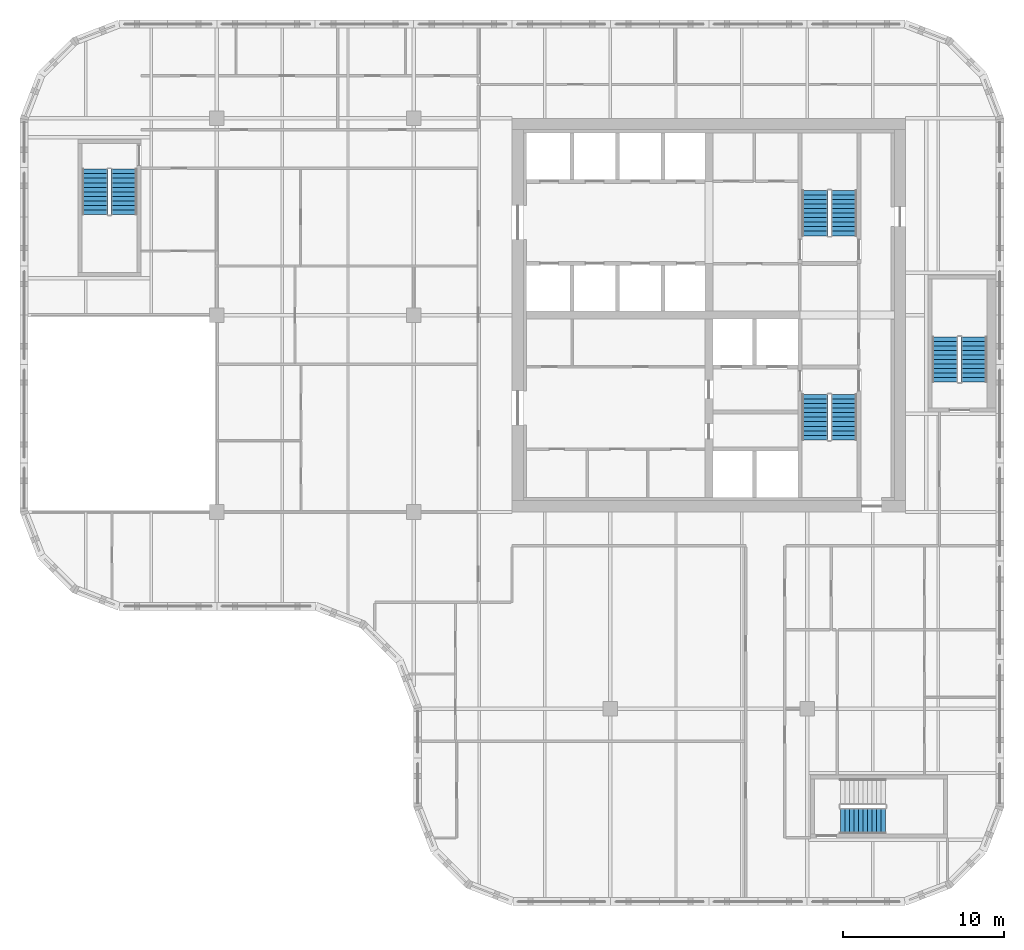
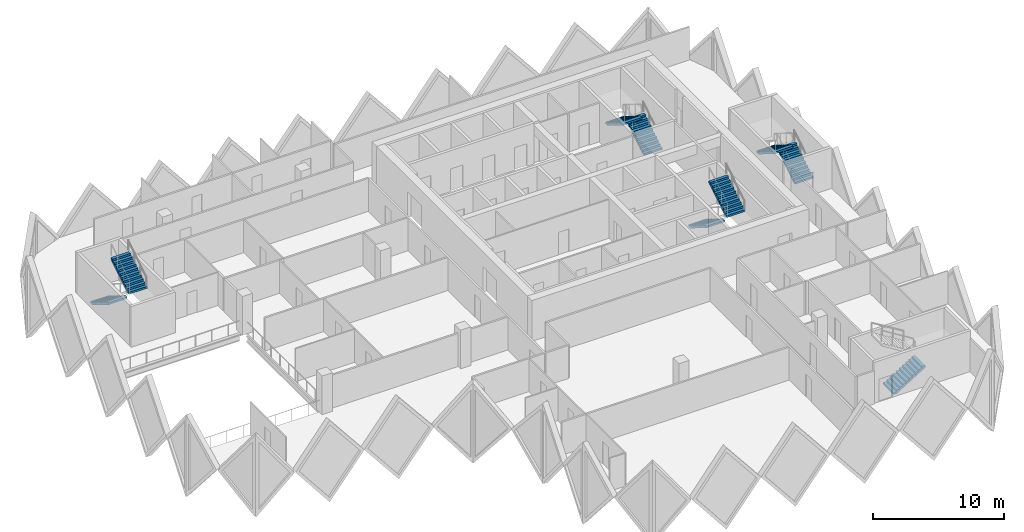
# One storey, part 11 of 12: 9 stair flights, 5 elements without a shape of their own.
"""IFC4 building model written with IfcOpenShell, lengths in metres."""

from ifc_helpers import new_model, si_unit, direction, frame, origin, place, context, subcontext, project, spatial, polyline, outline, extrude, material, type_object, element, aggregate, save


model = new_model("IFC4")

# Units and contexts
model_context = context("Model", 3, precision=1e-05, world=origin(), true_north=direction((0.0, 1.0)))
body_context = subcontext(model_context, "Body", "Model", "MODEL_VIEW")
ifc_project = project(units=[si_unit("LENGTHUNIT", "METRE"), si_unit("AREAUNIT", "SQUARE_METRE"), si_unit("VOLUMEUNIT", "CUBIC_METRE"), si_unit("PLANEANGLEUNIT", "RADIAN"), si_unit("MASSUNIT", "GRAM", prefix="KILO")], contexts=[model_context])

# Site, building, storey
site_placement = place(None, origin())
site = spatial("IfcSite", under=ifc_project, at=site_placement, CompositionType="ELEMENT")
building_placement = place(site_placement, origin())
building = spatial("IfcBuilding", under=site, at=building_placement, Name="Tessera Gate Towers", CompositionType="ELEMENT")
storey_placement = place(building_placement, frame((0.0, 0.0, 139.199951171875)))
storey = spatial("IfcBuildingStorey", under=building, at=storey_placement, Name="L34", CompositionType="ELEMENT", Elevation=139.199951171875)

# Stair, stair flights
ifc_material_1 = material(Name="Concrete C40/50", Category="concrete")
stair_type_1 = type_object("IfcStairType", Name="EXIT STAIR ST1 1600", PredefinedType="HALF_TURN_STAIR", material=ifc_material_1)
stair_1_placement = place(storey_placement, origin())
stair_1 = element("IfcStair", 1, at=stair_1_placement, inside=storey, type_object=stair_type_1, Name="L34 Protected Exit Stair ST1", PredefinedType="HALF_TURN_STAIR")
ifc_material_2 = material(Name="Concrete C40/50", Category="concrete")
stair_flight_type_1 = type_object("IfcStairFlightType", Name="EXIT STAIR FLIGHT ST1 1600", PredefinedType="STRAIGHT", material=ifc_material_2)
stair_flight_1_placement = place(storey_placement, frame((49.27490234375, 31.675048828125, 0.0), z_axis=(0.0, 0.0, 1.0), x_axis=(0.0, -1.0, 0.0)))
stair_flight_1 = element("IfcStairFlight", 2, at=stair_flight_1_placement, type_object=stair_flight_type_1, Name="ST1 flight 1", NumberOfRisers=11, NumberOfTreads=10, PredefinedType="STRAIGHT", RiserHeight=0.172727273, TreadLength=0.28, context=body_context, shape_type="SweptSolid", body=[
    extrude(outline(polyline([(0.0, 0.0), (0.0, 0.172607421875), (0.280029296875, 0.172607421875), (0.280029296875, 0.345458984375), (0.56005859375, 0.345458984375), (0.56005859375, 0.51806640625), (0.840087890625, 0.51806640625), (0.840087890625, 0.69091796875), (1.1201171875, 0.69091796875), (1.1201171875, 0.863525390625), (1.39990234375, 0.863525390625), (1.39990234375, 1.036376953125), (1.679931640625, 1.036376953125), (1.679931640625, 1.208984375), (1.9599609375, 1.208984375), (1.9599609375, 1.3818359375), (2.239990234375, 1.3818359375), (2.239990234375, 1.554443359375), (2.52001953125, 1.554443359375), (2.52001953125, 1.727294921875), (2.800048828125, 1.727294921875), (2.800048828125, 1.89990234375), (2.800048828125, 1.551025390625), (0.285400390625, 0.0), (0.0, 0.0)])), frame((0.0, 0.800048828125, 0.0), z_axis=(0.0, -1.0, 0.0), x_axis=(1.0, 0.0, 0.0)), (0.0, 0.0, 1.0), 1.60009765625),
])
stair_flight_2_placement = place(storey_placement, frame((51.074951171875, 28.875, 1.900146484375), z_axis=(0.0, 0.0, 1.0), x_axis=(0.0, 1.0, 0.0)))
stair_flight_2 = element("IfcStairFlight", 3, at=stair_flight_2_placement, type_object=stair_flight_type_1, Name="ST1 flight 2", NumberOfRisers=11, NumberOfTreads=10, PredefinedType="STRAIGHT", RiserHeight=0.172727273, TreadLength=0.28, context=body_context, shape_type="SweptSolid", body=[
    extrude(outline(polyline([(0.0, 0.0), (0.0, 0.172607421875), (0.280029296875, 0.172607421875), (0.280029296875, 0.345458984375), (0.56005859375, 0.345458984375), (0.56005859375, 0.51806640625), (0.840087890625, 0.51806640625), (0.840087890625, 0.69091796875), (1.1201171875, 0.69091796875), (1.1201171875, 0.863525390625), (1.39990234375, 0.863525390625), (1.39990234375, 1.036376953125), (1.679931640625, 1.036376953125), (1.679931640625, 1.208984375), (1.9599609375, 1.208984375), (1.9599609375, 1.3818359375), (2.239990234375, 1.3818359375), (2.239990234375, 1.554443359375), (2.52001953125, 1.554443359375), (2.52001953125, 1.727294921875), (2.800048828125, 1.727294921875), (2.800048828125, 1.89990234375), (2.800048828125, 1.551025390625), (0.285400390625, 0.0), (0.0, 0.0)])), frame((0.0, 0.800048828125, 0.0), z_axis=(0.0, -1.0, 0.0), x_axis=(1.0, 0.0, 0.0)), (0.0, 0.0, 1.0), 1.60009765625),
])
aggregate(stair_1, [stair_flight_1, stair_flight_2])

ifc_material_3 = material(Name="Concrete C40/50", Category="concrete")
stair_type_2 = type_object("IfcStairType", Name="EXIT STAIR ST2 1600", PredefinedType="HALF_TURN_STAIR", material=ifc_material_3)
stair_2_placement = place(storey_placement, origin())
stair_2 = element("IfcStair", 4, at=stair_2_placement, inside=storey, type_object=stair_type_2, Name="L34 Protected Exit Stair ST2", PredefinedType="HALF_TURN_STAIR")
ifc_material_4 = material(Name="Concrete C40/50", Category="concrete")
stair_flight_type_2 = type_object("IfcStairFlightType", Name="EXIT STAIR FLIGHT ST2 1600", PredefinedType="STRAIGHT", material=ifc_material_4)
stair_flight_3_placement = place(storey_placement, frame((51.074951171875, 41.52490234375, 0.0), z_axis=(0.0, 0.0, 1.0), x_axis=(0.0, 1.0, 0.0)))
stair_flight_3 = element("IfcStairFlight", 5, at=stair_flight_3_placement, type_object=stair_flight_type_2, Name="ST2 flight 1", NumberOfRisers=11, NumberOfTreads=10, PredefinedType="STRAIGHT", RiserHeight=0.172727273, TreadLength=0.28, context=body_context, shape_type="SweptSolid", body=[
    extrude(outline(polyline([(0.0, 0.0), (0.0, 0.172607421875), (0.280029296875, 0.172607421875), (0.280029296875, 0.345458984375), (0.56005859375, 0.345458984375), (0.56005859375, 0.51806640625), (0.840087890625, 0.51806640625), (0.840087890625, 0.69091796875), (1.1201171875, 0.69091796875), (1.1201171875, 0.863525390625), (1.39990234375, 0.863525390625), (1.39990234375, 1.036376953125), (1.679931640625, 1.036376953125), (1.679931640625, 1.208984375), (1.9599609375, 1.208984375), (1.9599609375, 1.3818359375), (2.239990234375, 1.3818359375), (2.239990234375, 1.554443359375), (2.52001953125, 1.554443359375), (2.52001953125, 1.727294921875), (2.800048828125, 1.727294921875), (2.800048828125, 1.89990234375), (2.800048828125, 1.551025390625), (0.285400390625, 0.0), (0.0, 0.0)])), frame((0.0, 0.800048828125, 0.0), z_axis=(0.0, -1.0, 0.0), x_axis=(1.0, 0.0, 0.0)), (0.0, 0.0, 1.0), 1.60009765625),
])
stair_flight_4_placement = place(storey_placement, frame((49.27490234375, 44.324951171875, 1.900146484375), z_axis=(0.0, 0.0, 1.0), x_axis=(0.0, -1.0, 0.0)))
stair_flight_4 = element("IfcStairFlight", 6, at=stair_flight_4_placement, type_object=stair_flight_type_2, Name="ST2 flight 2", NumberOfRisers=11, NumberOfTreads=10, PredefinedType="STRAIGHT", RiserHeight=0.172727273, TreadLength=0.28, context=body_context, shape_type="SweptSolid", body=[
    extrude(outline(polyline([(0.0, 0.0), (0.0, 0.172607421875), (0.280029296875, 0.172607421875), (0.280029296875, 0.345458984375), (0.56005859375, 0.345458984375), (0.56005859375, 0.51806640625), (0.840087890625, 0.51806640625), (0.840087890625, 0.69091796875), (1.1201171875, 0.69091796875), (1.1201171875, 0.863525390625), (1.39990234375, 0.863525390625), (1.39990234375, 1.036376953125), (1.679931640625, 1.036376953125), (1.679931640625, 1.208984375), (1.9599609375, 1.208984375), (1.9599609375, 1.3818359375), (2.239990234375, 1.3818359375), (2.239990234375, 1.554443359375), (2.52001953125, 1.554443359375), (2.52001953125, 1.727294921875), (2.800048828125, 1.727294921875), (2.800048828125, 1.89990234375), (2.800048828125, 1.551025390625), (0.285400390625, 0.0), (0.0, 0.0)])), frame((0.0, 0.800048828125, 0.0), z_axis=(0.0, -1.0, 0.0), x_axis=(1.0, 0.0, 0.0)), (0.0, 0.0, 1.0), 1.60009765625),
])
aggregate(stair_2, [stair_flight_3, stair_flight_4])

ifc_material_5 = material(Name="Concrete C40/50", Category="concrete")
stair_type_3 = type_object("IfcStairType", Name="EXIT STAIR ST3 1600", PredefinedType="HALF_TURN_STAIR", material=ifc_material_5)
stair_3_placement = place(storey_placement, origin())
stair_3 = element("IfcStair", 7, at=stair_3_placement, inside=storey, type_object=stair_type_3, Name="L34 West Exit Stair ST3", PredefinedType="HALF_TURN_STAIR")
ifc_material_6 = material(Name="Concrete C40/50", Category="concrete")
stair_flight_type_3 = type_object("IfcStairFlightType", Name="EXIT STAIR FLIGHT ST3 1600", PredefinedType="STRAIGHT", material=ifc_material_6)
stair_flight_5_placement = place(storey_placement, frame((4.64990234375, 45.64990234375, 0.0), z_axis=(0.0, 0.0, 1.0), x_axis=(0.0, -1.0, 0.0)))
stair_flight_5 = element("IfcStairFlight", 8, at=stair_flight_5_placement, type_object=stair_flight_type_3, Name="ST3 flight 1", NumberOfRisers=11, NumberOfTreads=10, PredefinedType="STRAIGHT", RiserHeight=0.172727273, TreadLength=0.28, context=body_context, shape_type="SweptSolid", body=[
    extrude(outline(polyline([(0.0, 0.0), (0.0, 0.172607421875), (0.280029296875, 0.172607421875), (0.280029296875, 0.345458984375), (0.56005859375, 0.345458984375), (0.56005859375, 0.51806640625), (0.840087890625, 0.51806640625), (0.840087890625, 0.69091796875), (1.1201171875, 0.69091796875), (1.1201171875, 0.863525390625), (1.39990234375, 0.863525390625), (1.39990234375, 1.036376953125), (1.679931640625, 1.036376953125), (1.679931640625, 1.208984375), (1.9599609375, 1.208984375), (1.9599609375, 1.3818359375), (2.239990234375, 1.3818359375), (2.239990234375, 1.554443359375), (2.52001953125, 1.554443359375), (2.52001953125, 1.727294921875), (2.800048828125, 1.727294921875), (2.800048828125, 1.89990234375), (2.800048828125, 1.551025390625), (0.285400390625, 0.0), (0.0, 0.0)])), frame((0.0, 0.800048828125, 0.0), z_axis=(0.0, -1.0, 0.0), x_axis=(1.0, 0.0, 0.0)), (0.0, 0.0, 1.0), 1.60009765625),
])
stair_flight_6_placement = place(storey_placement, frame((6.449951171875, 42.85009765625, 1.900146484375), z_axis=(0.0, 0.0, 1.0), x_axis=(0.0, 1.0, 0.0)))
stair_flight_6 = element("IfcStairFlight", 9, at=stair_flight_6_placement, type_object=stair_flight_type_3, Name="ST3 flight 2", NumberOfRisers=11, NumberOfTreads=10, PredefinedType="STRAIGHT", RiserHeight=0.172727273, TreadLength=0.28, context=body_context, shape_type="SweptSolid", body=[
    extrude(outline(polyline([(0.0, 0.0), (0.0, 0.172607421875), (0.280029296875, 0.172607421875), (0.280029296875, 0.345458984375), (0.56005859375, 0.345458984375), (0.56005859375, 0.51806640625), (0.840087890625, 0.51806640625), (0.840087890625, 0.69091796875), (1.1201171875, 0.69091796875), (1.1201171875, 0.863525390625), (1.39990234375, 0.863525390625), (1.39990234375, 1.036376953125), (1.679931640625, 1.036376953125), (1.679931640625, 1.208984375), (1.9599609375, 1.208984375), (1.9599609375, 1.3818359375), (2.239990234375, 1.3818359375), (2.239990234375, 1.554443359375), (2.52001953125, 1.554443359375), (2.52001953125, 1.727294921875), (2.800048828125, 1.727294921875), (2.800048828125, 1.89990234375), (2.800048828125, 1.551025390625), (0.285400390625, 0.0), (0.0, 0.0)])), frame((0.0, 0.800048828125, 0.0), z_axis=(0.0, -1.0, 0.0), x_axis=(1.0, 0.0, 0.0)), (0.0, 0.0, 1.0), 1.60009765625),
])
aggregate(stair_3, [stair_flight_5, stair_flight_6])

# Stair, stair flight
ifc_material_7 = material(Name="Concrete C40/50", Category="concrete")
stair_type_4 = type_object("IfcStairType", Name="EXIT STAIR ST4 1600", PredefinedType="HALF_TURN_STAIR", material=ifc_material_7)
stair_4_placement = place(storey_placement, origin())
stair_4 = element("IfcStair", 10, at=stair_4_placement, inside=storey, type_object=stair_type_4, Name="L34 South Exit Stair ST4", PredefinedType="HALF_TURN_STAIR")
ifc_material_8 = material(Name="Concrete C40/50", Category="concrete")
stair_flight_type_4 = type_object("IfcStairFlightType", Name="EXIT STAIR FLIGHT ST4 1600", PredefinedType="STRAIGHT", material=ifc_material_8)
stair_flight_7_placement = place(storey_placement, frame((50.85009765625, 5.25, 0.0), z_axis=(0.0, 0.0, 1.0), x_axis=(1.0, 0.0, 0.0)))
stair_flight_7 = element("IfcStairFlight", 11, at=stair_flight_7_placement, type_object=stair_flight_type_4, Name="ST4 flight 1", NumberOfRisers=11, NumberOfTreads=10, PredefinedType="STRAIGHT", RiserHeight=0.172727273, TreadLength=0.28, context=body_context, shape_type="SweptSolid", body=[
    extrude(outline(polyline([(0.0, 0.0), (0.0, 0.172607421875), (0.280029296875, 0.172607421875), (0.280029296875, 0.345458984375), (0.56005859375, 0.345458984375), (0.56005859375, 0.51806640625), (0.840087890625, 0.51806640625), (0.840087890625, 0.69091796875), (1.1201171875, 0.69091796875), (1.1201171875, 0.863525390625), (1.39990234375, 0.863525390625), (1.39990234375, 1.036376953125), (1.679931640625, 1.036376953125), (1.679931640625, 1.208984375), (1.9599609375, 1.208984375), (1.9599609375, 1.3818359375), (2.239990234375, 1.3818359375), (2.239990234375, 1.554443359375), (2.52001953125, 1.554443359375), (2.52001953125, 1.727294921875), (2.800048828125, 1.727294921875), (2.800048828125, 1.89990234375), (2.800048828125, 1.551025390625), (0.285400390625, 0.0), (0.0, 0.0)])), frame((0.0, 0.800048828125, 0.0), z_axis=(0.0, -1.0, 0.0), x_axis=(1.0, 0.0, 0.0)), (0.0, 0.0, 1.0), 1.60009765625),
])
aggregate(stair_4, [stair_flight_7])

# Stair, stair flights
ifc_material_9 = material(Name="Concrete C40/50", Category="concrete")
stair_type_5 = type_object("IfcStairType", Name="EXIT STAIR ST5 1600", PredefinedType="HALF_TURN_STAIR", material=ifc_material_9)
stair_5_placement = place(storey_placement, origin())
stair_5 = element("IfcStair", 12, at=stair_5_placement, inside=storey, type_object=stair_type_5, Name="L34 East Exit Stair ST5", PredefinedType="HALF_TURN_STAIR")
ifc_material_10 = material(Name="Concrete C40/50", Category="concrete")
stair_flight_type_5 = type_object("IfcStairFlightType", Name="EXIT STAIR FLIGHT ST5 1600", PredefinedType="STRAIGHT", material=ifc_material_10)
stair_flight_8_placement = place(storey_placement, frame((59.14990234375, 32.449951171875, 0.0), z_axis=(0.0, 0.0, 1.0), x_axis=(0.0, 1.0, 0.0)))
stair_flight_8 = element("IfcStairFlight", 13, at=stair_flight_8_placement, type_object=stair_flight_type_5, Name="ST5 flight 1", NumberOfRisers=11, NumberOfTreads=10, PredefinedType="STRAIGHT", RiserHeight=0.172727273, TreadLength=0.28, context=body_context, shape_type="SweptSolid", body=[
    extrude(outline(polyline([(0.0, 0.0), (0.0, 0.172607421875), (0.280029296875, 0.172607421875), (0.280029296875, 0.345458984375), (0.56005859375, 0.345458984375), (0.56005859375, 0.51806640625), (0.840087890625, 0.51806640625), (0.840087890625, 0.69091796875), (1.1201171875, 0.69091796875), (1.1201171875, 0.863525390625), (1.39990234375, 0.863525390625), (1.39990234375, 1.036376953125), (1.679931640625, 1.036376953125), (1.679931640625, 1.208984375), (1.9599609375, 1.208984375), (1.9599609375, 1.3818359375), (2.239990234375, 1.3818359375), (2.239990234375, 1.554443359375), (2.52001953125, 1.554443359375), (2.52001953125, 1.727294921875), (2.800048828125, 1.727294921875), (2.800048828125, 1.89990234375), (2.800048828125, 1.551025390625), (0.285400390625, 0.0), (0.0, 0.0)])), frame((0.0, 0.800048828125, 0.0), z_axis=(0.0, -1.0, 0.0), x_axis=(1.0, 0.0, 0.0)), (0.0, 0.0, 1.0), 1.60009765625),
])
stair_flight_9_placement = place(storey_placement, frame((57.35009765625, 35.25, 1.900146484375), z_axis=(0.0, 0.0, 1.0), x_axis=(0.0, -1.0, 0.0)))
stair_flight_9 = element("IfcStairFlight", 14, at=stair_flight_9_placement, type_object=stair_flight_type_5, Name="ST5 flight 2", NumberOfRisers=11, NumberOfTreads=10, PredefinedType="STRAIGHT", RiserHeight=0.172727273, TreadLength=0.28, context=body_context, shape_type="SweptSolid", body=[
    extrude(outline(polyline([(0.0, 0.0), (0.0, 0.172607421875), (0.280029296875, 0.172607421875), (0.280029296875, 0.345458984375), (0.56005859375, 0.345458984375), (0.56005859375, 0.51806640625), (0.840087890625, 0.51806640625), (0.840087890625, 0.69091796875), (1.1201171875, 0.69091796875), (1.1201171875, 0.863525390625), (1.39990234375, 0.863525390625), (1.39990234375, 1.036376953125), (1.679931640625, 1.036376953125), (1.679931640625, 1.208984375), (1.9599609375, 1.208984375), (1.9599609375, 1.3818359375), (2.239990234375, 1.3818359375), (2.239990234375, 1.554443359375), (2.52001953125, 1.554443359375), (2.52001953125, 1.727294921875), (2.800048828125, 1.727294921875), (2.800048828125, 1.89990234375), (2.800048828125, 1.551025390625), (0.285400390625, 0.0), (0.0, 0.0)])), frame((0.0, 0.800048828125, 0.0), z_axis=(0.0, -1.0, 0.0), x_axis=(1.0, 0.0, 0.0)), (0.0, 0.0, 1.0), 1.60009765625),
])
aggregate(stair_5, [stair_flight_8, stair_flight_9])

save(model, "model.ifc")
